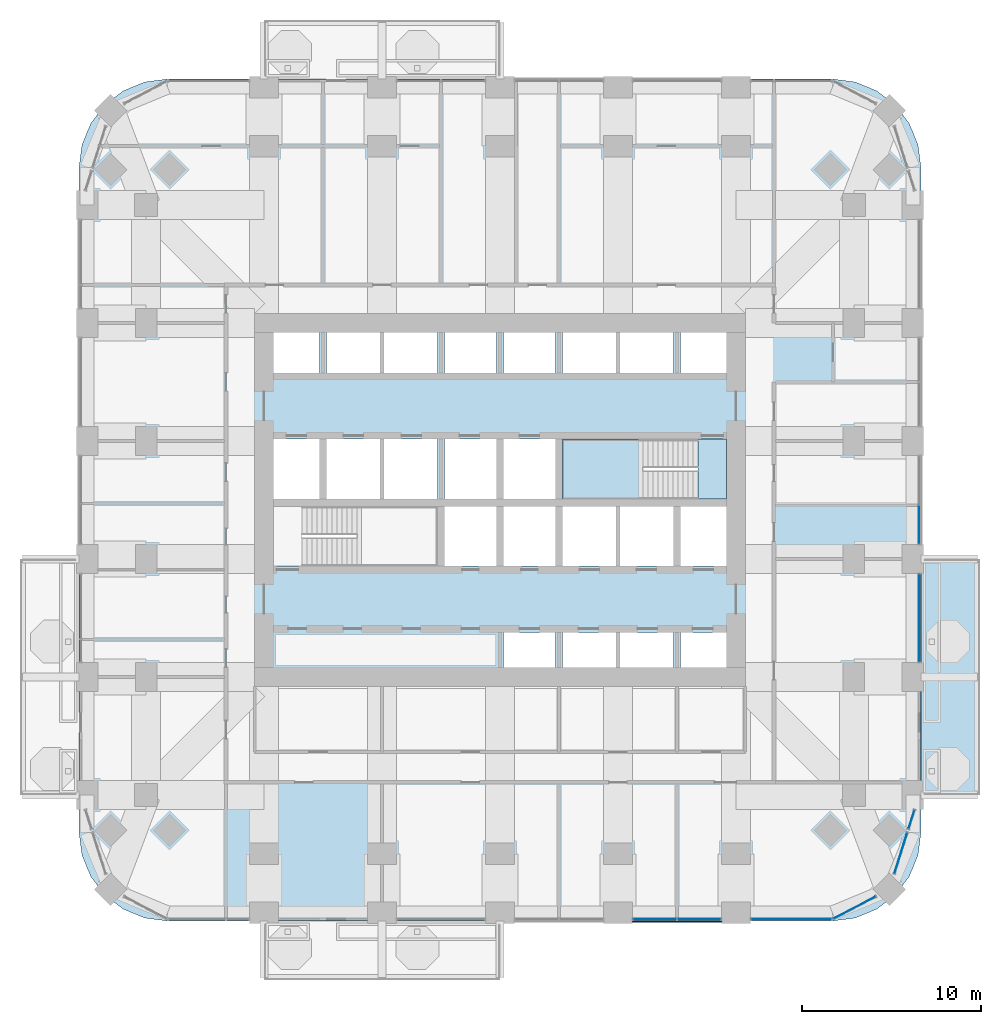
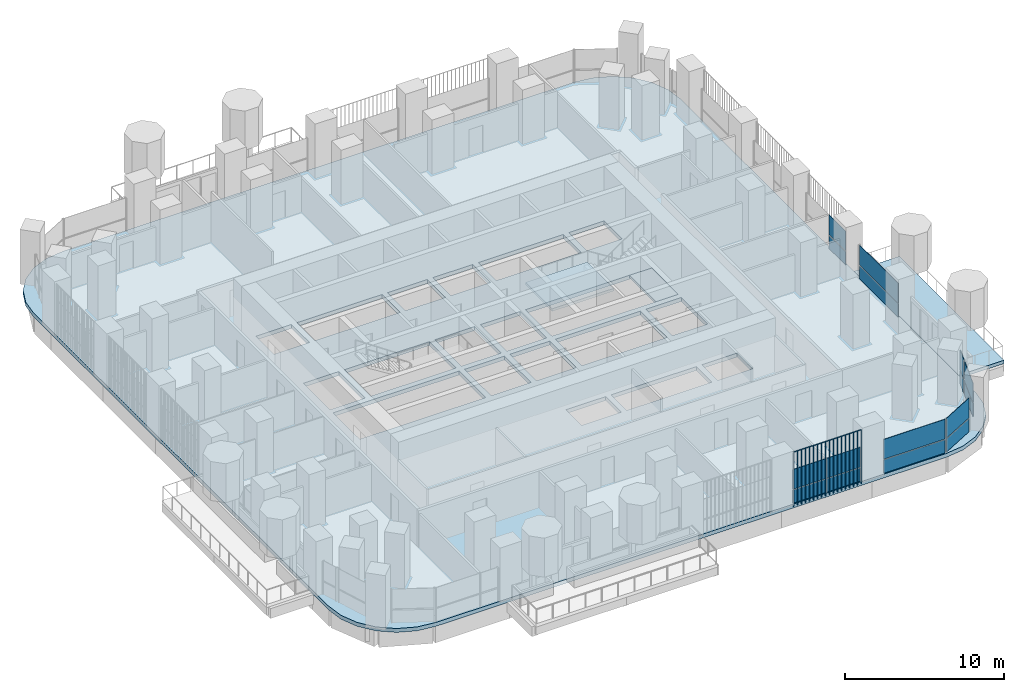
# One storey, part 9 of 21: 17 plates, 4 slabs, 8 elements without a shape of their own.
"""IFC4 building model written with IfcOpenShell, lengths in metres."""

from ifc_helpers import new_model, si_unit, direction, frame, origin, origin_2d, place, context, subcontext, project, spatial, polyline, rectangle, outline, extrude, material, layer, layer_set, type_object, element, aggregate, save


model = new_model("IFC4")

# Units and contexts
model_context = context("Model", 3, precision=1e-05, world=origin(), true_north=direction((0.0, 1.0)))
body_context = subcontext(model_context, "Body", "Model", "MODEL_VIEW")
ifc_project = project(units=[si_unit("LENGTHUNIT", "METRE"), si_unit("AREAUNIT", "SQUARE_METRE"), si_unit("VOLUMEUNIT", "CUBIC_METRE"), si_unit("PLANEANGLEUNIT", "RADIAN"), si_unit("MASSUNIT", "GRAM", prefix="KILO")], contexts=[model_context])

# Site, building, storey
site_placement = place(None, origin())
site = spatial("IfcSite", under=ifc_project, at=site_placement, CompositionType="ELEMENT")
building_placement = place(site_placement, origin())
building = spatial("IfcBuilding", under=site, at=building_placement, Name="Cobogo Forest Laboratory Tower", CompositionType="ELEMENT")
storey_placement = place(building_placement, frame((0.0, 0.0, 141.0)))
storey = spatial("IfcBuildingStorey", under=building, at=storey_placement, Name="L32", CompositionType="ELEMENT", Elevation=141.0)

# Slabs
ifc_material_1 = material(Name="Concrete HA-40 (C40/50)", Category="concrete")
ifc_layer_1 = layer(ifc_material_1, 0.25)
ifc_layer_set_1 = layer_set([ifc_layer_1], Name="Balcony slab 250")
slab_type_1 = type_object("IfcSlabType", Name="Balcony slab 250", PredefinedType="FLOOR", material=ifc_layer_set_1)
slab_1_placement = place(storey_placement, frame((0.0, 0.0, -0.25)))
element("IfcSlab", 1, at=slab_1_placement, inside=storey, type_object=slab_type_1, Name="Balcony BAL-E1 L32", PredefinedType="FLOOR", context=body_context, shape_type="SweptSolid", body=[
    extrude(outline(polyline([(49.949951171875, 6.60009765625), (53.25, 6.60009765625), (53.25, 19.800048828125), (49.949951171875, 19.800048828125), (49.949951171875, 6.60009765625)])), origin(), (0.0, 0.0, 1.0), 0.25),
])
ifc_layer_2 = layer(ifc_material_1, 0.300048828125)
ifc_layer_set_2 = layer_set([ifc_layer_2], Name="Floor slab 300")
slab_type_2 = type_object("IfcSlabType", Name="Floor slab 300", PredefinedType="FLOOR", material=ifc_layer_set_2)
slab_2_placement = place(storey_placement, frame((0.0, 0.0, -0.300048828125)))
element("IfcSlab", 2, at=slab_2_placement, inside=storey, type_object=slab_type_2, Name="L32 floor slab", PredefinedType="FLOOR", context=body_context, shape_type="SweptSolid", body=[
    extrude(outline(polyline([(45.0, -0.449951171875), (46.28125, -0.28125), (47.47509765625, 0.213134765625), (48.500244140625, 0.999755859375), (49.286865234375, 2.02490234375), (49.78125, 3.21875), (49.949951171875, 4.5), (49.949951171875, 41.699951171875), (49.78125, 42.981201171875), (49.286865234375, 44.175048828125), (48.500244140625, 45.2001953125), (47.47509765625, 45.98681640625), (46.28125, 46.4814453125), (45.0, 46.64990234375), (7.800048828125, 46.64990234375), (6.518798828125, 46.4814453125), (5.324951171875, 45.98681640625), (4.2998046875, 45.2001953125), (3.51318359375, 44.175048828125), (3.0185546875, 42.981201171875), (2.85009765625, 41.699951171875), (2.85009765625, 4.5), (3.0185546875, 3.21875), (3.51318359375, 2.02490234375), (4.2998046875, 0.999755859375), (5.324951171875, 0.213134765625), (6.518798828125, -0.28125), (7.800048828125, -0.449951171875), (45.0, -0.449951171875)]), holes=[polyline([(29.5, 13.72509765625), (26.60009765625, 13.72509765625), (26.60009765625, 15.699951171875), (29.5, 15.699951171875), (29.5, 13.72509765625)]), polyline([(36.10009765625, 15.699951171875), (36.10009765625, 13.72509765625), (29.89990234375, 13.72509765625), (29.89990234375, 15.699951171875), (36.10009765625, 15.699951171875)]), polyline([(36.5, 13.72509765625), (36.5, 15.699951171875), (39.074951171875, 15.699951171875), (39.074951171875, 13.72509765625), (36.5, 13.72509765625)]), polyline([(13.72509765625, 19.39990234375), (13.72509765625, 22.75), (22.89990234375, 22.75), (22.89990234375, 19.39990234375), (13.72509765625, 19.39990234375)]), polyline([(23.300048828125, 19.39990234375), (23.300048828125, 22.75), (26.199951171875, 22.75), (26.199951171875, 19.39990234375), (23.300048828125, 19.39990234375)]), polyline([(29.5, 19.39990234375), (26.60009765625, 19.39990234375), (26.60009765625, 22.75), (29.5, 22.75), (29.5, 19.39990234375)]), polyline([(36.10009765625, 22.75), (36.10009765625, 19.39990234375), (29.89990234375, 19.39990234375), (29.89990234375, 22.75), (36.10009765625, 22.75)]), polyline([(39.074951171875, 19.39990234375), (36.5, 19.39990234375), (36.5, 22.75), (39.074951171875, 22.75), (39.074951171875, 19.39990234375)]), polyline([(16.300048828125, 23.14990234375), (13.72509765625, 23.14990234375), (13.72509765625, 26.5), (16.300048828125, 26.5), (16.300048828125, 23.14990234375)]), polyline([(22.89990234375, 26.5), (22.89990234375, 23.14990234375), (16.699951171875, 23.14990234375), (16.699951171875, 26.5), (22.89990234375, 26.5)]), polyline([(26.199951171875, 23.14990234375), (23.300048828125, 23.14990234375), (23.300048828125, 26.5), (26.199951171875, 26.5), (26.199951171875, 23.14990234375)]), polyline([(26.60009765625, 23.14990234375), (26.60009765625, 26.5), (29.5, 26.5), (29.5, 23.14990234375), (26.60009765625, 23.14990234375)]), polyline([(29.89990234375, 23.14990234375), (29.89990234375, 26.5), (39.074951171875, 26.5), (39.074951171875, 23.14990234375), (29.89990234375, 23.14990234375)]), polyline([(13.72509765625, 30.199951171875), (13.72509765625, 32.47509765625), (16.300048828125, 32.47509765625), (16.300048828125, 30.199951171875), (13.72509765625, 30.199951171875)]), polyline([(22.89990234375, 32.47509765625), (22.89990234375, 30.199951171875), (16.699951171875, 30.199951171875), (16.699951171875, 32.47509765625), (22.89990234375, 32.47509765625)]), polyline([(23.300048828125, 30.199951171875), (23.300048828125, 32.47509765625), (26.199951171875, 32.47509765625), (26.199951171875, 30.199951171875), (23.300048828125, 30.199951171875)]), polyline([(26.60009765625, 30.199951171875), (26.60009765625, 32.47509765625), (29.5, 32.47509765625), (29.5, 30.199951171875), (26.60009765625, 30.199951171875)]), polyline([(36.10009765625, 32.47509765625), (36.10009765625, 30.199951171875), (29.89990234375, 30.199951171875), (29.89990234375, 32.47509765625), (36.10009765625, 32.47509765625)]), polyline([(36.5, 30.199951171875), (36.5, 32.47509765625), (39.074951171875, 32.47509765625), (39.074951171875, 30.199951171875), (36.5, 30.199951171875)])]), origin(), (0.0, 0.0, 1.0), 0.300048828125),
])

# Curtain wall, plates
ifc_material_2 = material(Name="Aluminium curtain wall", Category="aluminium")
curtain_wall_type = type_object("IfcCurtainWallType", Name="CW-1 unitised curtain wall, clear glazing, laboratory floors zones A and B", PredefinedType="USERDEFINED", material=ifc_material_2)
curtain_wall_1_placement = place(storey_placement, origin())
curtain_wall_1 = element("IfcCurtainWall", 3, at=curtain_wall_1_placement, inside=storey, type_object=curtain_wall_type, Name="Curtain wall 05 L32", ObjectType="UNITISED CURTAIN WALL", PredefinedType="USERDEFINED")
ifc_material_3 = material(Name="Clear insulated glass", Category="glass")
ifc_layer_3 = layer(ifc_material_3, 0.028076171875)
ifc_layer_set_3 = layer_set([ifc_layer_3], Name="GP-1 clear insulated glass unit 28")
plate_type_1 = type_object("IfcPlateType", Name="GP-1 clear insulated glass unit 28", PredefinedType="CURTAIN_PANEL", material=ifc_layer_set_3)
plate_1_placement = place(storey_placement, frame((35.06494140625, -0.35009765625, 0.0), z_axis=(0.0, 0.0, 1.0), x_axis=(1.0, 0.0, 0.0)))
plate_1 = element("IfcPlate", 4, at=plate_1_placement, type_object=plate_type_1, Name="CW-1 panel 1.1", PredefinedType="CURTAIN_PANEL", context=body_context, shape_type="SweptSolid", body=[
    extrude(rectangle(XDim=2.409912109375, YDim=0.028076171875, at=origin_2d()), origin(), (0.0, 0.0, 1.0), 1.02001953125),
])
plate_2_placement = place(storey_placement, frame((35.06494140625, -0.35009765625, 1.080078125), z_axis=(0.0, 0.0, 1.0), x_axis=(1.0, 0.0, 0.0)))
plate_2 = element("IfcPlate", 5, at=plate_2_placement, type_object=plate_type_1, Name="CW-1 panel 1.2", PredefinedType="CURTAIN_PANEL", context=body_context, shape_type="SweptSolid", body=[
    extrude(rectangle(XDim=2.409912109375, YDim=0.028076171875, at=origin_2d()), origin(), (0.0, 0.0, 1.0), 1.52001953125),
])
plate_3_placement = place(storey_placement, frame((37.534912109375, -0.35009765625, 0.0), z_axis=(0.0, 0.0, 1.0), x_axis=(1.0, 0.0, 0.0)))
plate_3 = element("IfcPlate", 6, at=plate_3_placement, type_object=plate_type_1, Name="CW-1 panel 2.1", PredefinedType="CURTAIN_PANEL", context=body_context, shape_type="SweptSolid", body=[
    extrude(rectangle(XDim=2.409912109375, YDim=0.028076171875, at=origin_2d()), origin(), (0.0, 0.0, 1.0), 1.02001953125),
])
plate_4_placement = place(storey_placement, frame((37.534912109375, -0.35009765625, 1.080078125), z_axis=(0.0, 0.0, 1.0), x_axis=(1.0, 0.0, 0.0)))
plate_4 = element("IfcPlate", 7, at=plate_4_placement, type_object=plate_type_1, Name="CW-1 panel 2.2", PredefinedType="CURTAIN_PANEL", context=body_context, shape_type="SweptSolid", body=[
    extrude(rectangle(XDim=2.409912109375, YDim=0.028076171875, at=origin_2d()), origin(), (0.0, 0.0, 1.0), 1.52001953125),
])
aggregate(curtain_wall_1, [plate_1, plate_2, plate_3, plate_4])

curtain_wall_2_placement = place(storey_placement, origin())
curtain_wall_2 = element("IfcCurtainWall", 8, at=curtain_wall_2_placement, inside=storey, type_object=curtain_wall_type, Name="Curtain wall 06 L32", ObjectType="UNITISED CURTAIN WALL", PredefinedType="USERDEFINED")
plate_5_placement = place(storey_placement, frame((42.699951171875, -0.35009765625, 0.0), z_axis=(0.0, 0.0, 1.0), x_axis=(1.0, 0.0, 0.0)))
plate_5 = element("IfcPlate", 9, at=plate_5_placement, type_object=plate_type_1, Name="CW-1 panel 1.1", PredefinedType="CURTAIN_PANEL", context=body_context, shape_type="SweptSolid", body=[
    extrude(rectangle(XDim=4.47998046875, YDim=0.028076171875, at=origin_2d()), origin(), (0.0, 0.0, 1.0), 1.02001953125),
])
plate_6_placement = place(storey_placement, frame((42.699951171875, -0.35009765625, 1.080078125), z_axis=(0.0, 0.0, 1.0), x_axis=(1.0, 0.0, 0.0)))
plate_6 = element("IfcPlate", 10, at=plate_6_placement, type_object=plate_type_1, Name="CW-1 panel 1.2", PredefinedType="CURTAIN_PANEL", context=body_context, shape_type="SweptSolid", body=[
    extrude(rectangle(XDim=4.47998046875, YDim=0.028076171875, at=origin_2d()), origin(), (0.0, 0.0, 1.0), 1.52001953125),
])
aggregate(curtain_wall_2, [plate_5, plate_6])

curtain_wall_3_placement = place(storey_placement, origin())
curtain_wall_3 = element("IfcCurtainWall", 11, at=curtain_wall_3_placement, inside=storey, type_object=curtain_wall_type, Name="Curtain wall 07 L32", ObjectType="UNITISED CURTAIN WALL", PredefinedType="USERDEFINED")
plate_7_placement = place(storey_placement, frame((46.229248046875, 0.29443359375, 0.0), z_axis=(0.0, 0.0, 1.0), x_axis=(0.885686547075, 0.464283685186, 0.0)))
plate_7 = element("IfcPlate", 12, at=plate_7_placement, type_object=plate_type_1, Name="CW-1 panel 1.1", PredefinedType="CURTAIN_PANEL", context=body_context, shape_type="SweptSolid", body=[
    extrude(rectangle(XDim=2.655517578125, YDim=0.028076171875, at=origin_2d()), origin(), (0.0, 0.0, 1.0), 1.02001953125),
])
plate_8_placement = place(storey_placement, frame((46.229248046875, 0.29443359375, 1.080078125), z_axis=(0.0, 0.0, 1.0), x_axis=(0.885686547075, 0.464283685186, 0.0)))
plate_8 = element("IfcPlate", 13, at=plate_8_placement, type_object=plate_type_1, Name="CW-1 panel 1.2", PredefinedType="CURTAIN_PANEL", context=body_context, shape_type="SweptSolid", body=[
    extrude(rectangle(XDim=2.655517578125, YDim=0.028076171875, at=origin_2d()), origin(), (0.0, 0.0, 1.0), 1.52001953125),
])
aggregate(curtain_wall_3, [plate_7, plate_8])

curtain_wall_4_placement = place(storey_placement, origin())
curtain_wall_4 = element("IfcCurtainWall", 14, at=curtain_wall_4_placement, inside=storey, type_object=curtain_wall_type, Name="Curtain wall 08 L32", ObjectType="UNITISED CURTAIN WALL", PredefinedType="USERDEFINED")
plate_9_placement = place(storey_placement, frame((48.8212890625, 3.342529296875, 0.0), z_axis=(0.0, 0.0, 1.0), x_axis=(0.301135291996, 0.953581425949, 0.0)))
plate_9 = element("IfcPlate", 15, at=plate_9_placement, type_object=plate_type_1, Name="CW-1 panel 1.1", PredefinedType="CURTAIN_PANEL", context=body_context, shape_type="SweptSolid", body=[
    extrude(rectangle(XDim=2.3681640625, YDim=0.028076171875, at=origin_2d()), origin(), (0.0, 0.0, 1.0), 1.02001953125),
])
plate_10_placement = place(storey_placement, frame((48.8212890625, 3.342529296875, 1.080078125), z_axis=(0.0, 0.0, 1.0), x_axis=(0.301135291996, 0.953581425949, 0.0)))
plate_10 = element("IfcPlate", 16, at=plate_10_placement, type_object=plate_type_1, Name="CW-1 panel 1.2", PredefinedType="CURTAIN_PANEL", context=body_context, shape_type="SweptSolid", body=[
    extrude(rectangle(XDim=2.3681640625, YDim=0.028076171875, at=origin_2d()), origin(), (0.0, 0.0, 1.0), 1.52001953125),
])
aggregate(curtain_wall_4, [plate_9, plate_10])

curtain_wall_5_placement = place(storey_placement, origin())
curtain_wall_5 = element("IfcCurtainWall", 17, at=curtain_wall_5_placement, inside=storey, type_object=curtain_wall_type, Name="Curtain wall 09 L32", ObjectType="UNITISED CURTAIN WALL", PredefinedType="USERDEFINED")
plate_11_placement = place(storey_placement, frame((49.41796875, 5.232177734375, 0.0), z_axis=(0.0, 0.0, 1.0), x_axis=(0.301135667865, 0.953581307252, 0.0)))
plate_11 = element("IfcPlate", 18, at=plate_11_placement, type_object=plate_type_1, Name="CW-1 panel 1.1", PredefinedType="CURTAIN_PANEL", context=body_context, shape_type="SweptSolid", body=[
    extrude(rectangle(XDim=1.071044921875, YDim=0.028076171875, at=origin_2d()), origin(), (0.0, 0.0, 1.0), 1.02001953125),
])
plate_12_placement = place(storey_placement, frame((49.41796875, 5.232177734375, 1.080078125), z_axis=(0.0, 0.0, 1.0), x_axis=(0.301135667865, 0.953581307252, 0.0)))
plate_12 = element("IfcPlate", 19, at=plate_12_placement, type_object=plate_type_1, Name="CW-1 panel 1.2", PredefinedType="CURTAIN_PANEL", context=body_context, shape_type="SweptSolid", body=[
    extrude(rectangle(XDim=1.071044921875, YDim=0.028076171875, at=origin_2d()), origin(), (0.0, 0.0, 1.0), 1.52001953125),
])
aggregate(curtain_wall_5, [plate_11, plate_12])

curtain_wall_6_placement = place(storey_placement, origin())
curtain_wall_6 = element("IfcCurtainWall", 20, at=curtain_wall_6_placement, inside=storey, type_object=curtain_wall_type, Name="Curtain wall 11 L32", ObjectType="UNITISED CURTAIN WALL", PredefinedType="USERDEFINED")
plate_13_placement = place(storey_placement, frame((49.85009765625, 16.5, 0.0), z_axis=(0.0, 0.0, 1.0), x_axis=(0.0, 1.0, 0.0)))
plate_13 = element("IfcPlate", 21, at=plate_13_placement, type_object=plate_type_1, Name="CW-1 panel 1.1", PredefinedType="CURTAIN_PANEL", context=body_context, shape_type="SweptSolid", body=[
    extrude(rectangle(XDim=4.8798828125, YDim=0.028076171875, at=origin_2d()), origin(), (0.0, 0.0, 1.0), 1.02001953125),
])
plate_14_placement = place(storey_placement, frame((49.85009765625, 16.5, 1.080078125), z_axis=(0.0, 0.0, 1.0), x_axis=(0.0, 1.0, 0.0)))
plate_14 = element("IfcPlate", 22, at=plate_14_placement, type_object=plate_type_1, Name="CW-1 panel 1.2", PredefinedType="CURTAIN_PANEL", context=body_context, shape_type="SweptSolid", body=[
    extrude(rectangle(XDim=4.8798828125, YDim=0.028076171875, at=origin_2d()), origin(), (0.0, 0.0, 1.0), 1.52001953125),
])
aggregate(curtain_wall_6, [plate_13, plate_14])

curtain_wall_7_placement = place(storey_placement, origin())
curtain_wall_7 = element("IfcCurtainWall", 23, at=curtain_wall_7_placement, inside=storey, type_object=curtain_wall_type, Name="Curtain wall 12 L32", ObjectType="UNITISED CURTAIN WALL", PredefinedType="USERDEFINED")
plate_15_placement = place(storey_placement, frame((49.85009765625, 21.715087890625, 0.0), z_axis=(0.0, 0.0, 1.0), x_axis=(0.0, 1.0, 0.0)))
plate_15 = element("IfcPlate", 24, at=plate_15_placement, type_object=plate_type_1, Name="CW-1 panel 1.1", PredefinedType="CURTAIN_PANEL", context=body_context, shape_type="SweptSolid", body=[
    extrude(rectangle(XDim=2.110107421875, YDim=0.028076171875, at=origin_2d()), origin(), (0.0, 0.0, 1.0), 1.02001953125),
])
plate_16_placement = place(storey_placement, frame((49.85009765625, 21.715087890625, 1.080078125), z_axis=(0.0, 0.0, 1.0), x_axis=(0.0, 1.0, 0.0)))
plate_16 = element("IfcPlate", 25, at=plate_16_placement, type_object=plate_type_1, Name="CW-1 panel 1.2", PredefinedType="CURTAIN_PANEL", context=body_context, shape_type="SweptSolid", body=[
    extrude(rectangle(XDim=2.110107421875, YDim=0.028076171875, at=origin_2d()), origin(), (0.0, 0.0, 1.0), 1.52001953125),
])
aggregate(curtain_wall_7, [plate_15, plate_16])

# Stair, slabs
ifc_material_4 = material(Name="Precast concrete HA-40 (C40/50)", Category="concrete")
stair_type = type_object("IfcStairType", Name="ST24 exit stair 24 risers", PredefinedType="HALF_TURN_STAIR", material=ifc_material_4)
stair_placement = place(storey_placement, origin())
stair = element("IfcStair", 26, at=stair_placement, inside=storey, type_object=stair_type, Name="Stair 2 L32 to L33", PredefinedType="HALF_TURN_STAIR")
ifc_layer_4 = layer(ifc_material_1, 0.199951171875)
ifc_layer_set_4 = layer_set([ifc_layer_4], Name="SL stair landing 200")
slab_type_3 = type_object("IfcSlabType", Name="SL stair landing 200", PredefinedType="LANDING", material=ifc_layer_set_4)
slab_3_placement = place(storey_placement, frame((0.0, 0.0, -0.199951171875)))
slab_3 = element("IfcSlab", 27, at=slab_3_placement, type_object=slab_type_3, Name="ST2 landing 1", PredefinedType="LANDING", context=body_context, shape_type="SweptSolid", body=[
    extrude(outline(polyline([(37.472900390625, 23.14990234375), (39.074951171875, 23.14990234375), (39.074951171875, 26.5), (37.472900390625, 26.5), (37.472900390625, 23.14990234375)])), origin(), (0.0, 0.0, 1.0), 0.199951171875),
])
slab_4_placement = place(storey_placement, frame((0.0, 0.0, 1.89990234375)))
slab_4 = element("IfcSlab", 28, at=slab_4_placement, type_object=slab_type_3, Name="ST2 landing 2", PredefinedType="LANDING", context=body_context, shape_type="SweptSolid", body=[
    extrude(outline(polyline([(29.89990234375, 23.14990234375), (34.39697265625, 23.14990234375), (34.39697265625, 26.5), (29.89990234375, 26.5), (29.89990234375, 23.14990234375)])), origin(), (0.0, 0.0, 1.0), 0.2001953125),
])
aggregate(stair, [slab_3, slab_4])

# Plate
ifc_material_5 = material(Name="Terracotta", Category="masonry")
plate_type_2 = type_object("IfcPlateType", Name="TB1 terracotta baguette screen", PredefinedType="USERDEFINED", material=ifc_material_5)
plate_17_placement = place(storey_placement, frame((33.831298828125, -0.477783203125, -0.14990234375)))
element("IfcPlate", 29, at=plate_17_placement, inside=storey, type_object=plate_type_2, Name="Baguette screen S4 L32", ObjectType="BAGUETTE SCREEN", PredefinedType="USERDEFINED", context=body_context, shape_type="SweptSolid", body=[
    extrude(outline(polyline([(0.02880859375, 0.011962890625), (0.011962890625, 0.02880859375), (-0.011962890625, 0.02880859375), (-0.02880859375, 0.011962890625), (-0.02880859375, -0.011962890625), (-0.011962890625, -0.02880859375), (0.011962890625, -0.02880859375), (0.02880859375, -0.011962890625), (0.02880859375, 0.011962890625)])), frame((0.0, 0.0, 4.168701171875), z_axis=(1.0, 0.0, 0.0), x_axis=(0.0, 1.0, 0.0)), (0.0, 0.0, 1.0), 4.9375),
    extrude(outline(polyline([(0.02880859375, 0.011962890625), (0.011962890625, 0.02880859375), (-0.011962890625, 0.02880859375), (-0.02880859375, 0.011962890625), (-0.02880859375, -0.011962890625), (-0.011962890625, -0.02880859375), (0.011962890625, -0.02880859375), (0.02880859375, -0.011962890625), (0.02880859375, 0.011962890625)])), origin(), (0.0, 0.0, 1.0), 4.137451171875),
    extrude(outline(polyline([(0.02880859375, 0.011962890625), (0.011962890625, 0.02880859375), (-0.011962890625, 0.02880859375), (-0.02880859375, 0.011962890625), (-0.02880859375, -0.011962890625), (-0.011962890625, -0.02880859375), (0.011962890625, -0.02880859375), (0.02880859375, -0.011962890625), (0.02880859375, 0.011962890625)])), frame((0.29052734375, 0.0, 0.0)), (0.0, 0.0, 1.0), 4.137451171875),
    extrude(outline(polyline([(0.02880859375, 0.011962890625), (0.011962890625, 0.02880859375), (-0.011962890625, 0.02880859375), (-0.02880859375, 0.011962890625), (-0.02880859375, -0.011962890625), (-0.011962890625, -0.02880859375), (0.011962890625, -0.02880859375), (0.02880859375, -0.011962890625), (0.02880859375, 0.011962890625)])), frame((0.580810546875, 0.0, 0.0)), (0.0, 0.0, 1.0), 4.137451171875),
    extrude(outline(polyline([(0.02880859375, 0.011962890625), (0.011962890625, 0.02880859375), (-0.011962890625, 0.02880859375), (-0.02880859375, 0.011962890625), (-0.02880859375, -0.011962890625), (-0.011962890625, -0.02880859375), (0.011962890625, -0.02880859375), (0.02880859375, -0.011962890625), (0.02880859375, 0.011962890625)])), frame((0.871337890625, 0.0, 0.0)), (0.0, 0.0, 1.0), 4.137451171875),
    extrude(outline(polyline([(0.02880859375, 0.011962890625), (0.011962890625, 0.02880859375), (-0.011962890625, 0.02880859375), (-0.02880859375, 0.011962890625), (-0.02880859375, -0.011962890625), (-0.011962890625, -0.02880859375), (0.011962890625, -0.02880859375), (0.02880859375, -0.011962890625), (0.02880859375, 0.011962890625)])), frame((1.161865234375, 0.0, 0.0)), (0.0, 0.0, 1.0), 4.137451171875),
    extrude(outline(polyline([(0.02880859375, 0.011962890625), (0.011962890625, 0.02880859375), (-0.011962890625, 0.02880859375), (-0.02880859375, 0.011962890625), (-0.02880859375, -0.011962890625), (-0.011962890625, -0.02880859375), (0.011962890625, -0.02880859375), (0.02880859375, -0.011962890625), (0.02880859375, 0.011962890625)])), frame((1.4521484375, 0.0, 0.0)), (0.0, 0.0, 1.0), 4.137451171875),
    extrude(outline(polyline([(0.02880859375, 0.011962890625), (0.011962890625, 0.02880859375), (-0.011962890625, 0.02880859375), (-0.02880859375, 0.011962890625), (-0.02880859375, -0.011962890625), (-0.011962890625, -0.02880859375), (0.011962890625, -0.02880859375), (0.02880859375, -0.011962890625), (0.02880859375, 0.011962890625)])), frame((1.74267578125, 0.0, 0.0)), (0.0, 0.0, 1.0), 4.137451171875),
    extrude(outline(polyline([(0.02880859375, 0.011962890625), (0.011962890625, 0.02880859375), (-0.011962890625, 0.02880859375), (-0.02880859375, 0.011962890625), (-0.02880859375, -0.011962890625), (-0.011962890625, -0.02880859375), (0.011962890625, -0.02880859375), (0.02880859375, -0.011962890625), (0.02880859375, 0.011962890625)])), frame((2.033203125, 0.0, 0.0)), (0.0, 0.0, 1.0), 4.137451171875),
    extrude(outline(polyline([(0.02880859375, 0.011962890625), (0.011962890625, 0.02880859375), (-0.011962890625, 0.02880859375), (-0.02880859375, 0.011962890625), (-0.02880859375, -0.011962890625), (-0.011962890625, -0.02880859375), (0.011962890625, -0.02880859375), (0.02880859375, -0.011962890625), (0.02880859375, 0.011962890625)])), frame((2.323486328125, 0.0, 0.0)), (0.0, 0.0, 1.0), 4.137451171875),
    extrude(outline(polyline([(0.02880859375, 0.011962890625), (0.011962890625, 0.02880859375), (-0.011962890625, 0.02880859375), (-0.02880859375, 0.011962890625), (-0.02880859375, -0.011962890625), (-0.011962890625, -0.02880859375), (0.011962890625, -0.02880859375), (0.02880859375, -0.011962890625), (0.02880859375, 0.011962890625)])), frame((2.614013671875, 0.0, 0.0)), (0.0, 0.0, 1.0), 4.137451171875),
    extrude(outline(polyline([(0.02880859375, 0.011962890625), (0.011962890625, 0.02880859375), (-0.011962890625, 0.02880859375), (-0.02880859375, 0.011962890625), (-0.02880859375, -0.011962890625), (-0.011962890625, -0.02880859375), (0.011962890625, -0.02880859375), (0.02880859375, -0.011962890625), (0.02880859375, 0.011962890625)])), frame((2.904296875, 0.0, 0.0)), (0.0, 0.0, 1.0), 4.137451171875),
    extrude(outline(polyline([(0.02880859375, 0.011962890625), (0.011962890625, 0.02880859375), (-0.011962890625, 0.02880859375), (-0.02880859375, 0.011962890625), (-0.02880859375, -0.011962890625), (-0.011962890625, -0.02880859375), (0.011962890625, -0.02880859375), (0.02880859375, -0.011962890625), (0.02880859375, 0.011962890625)])), frame((3.19482421875, 0.0, 0.0)), (0.0, 0.0, 1.0), 4.137451171875),
    extrude(outline(polyline([(0.02880859375, 0.011962890625), (0.011962890625, 0.02880859375), (-0.011962890625, 0.02880859375), (-0.02880859375, 0.011962890625), (-0.02880859375, -0.011962890625), (-0.011962890625, -0.02880859375), (0.011962890625, -0.02880859375), (0.02880859375, -0.011962890625), (0.02880859375, 0.011962890625)])), frame((3.4853515625, 0.0, 0.0)), (0.0, 0.0, 1.0), 4.137451171875),
    extrude(outline(polyline([(0.02880859375, 0.011962890625), (0.011962890625, 0.02880859375), (-0.011962890625, 0.02880859375), (-0.02880859375, 0.011962890625), (-0.02880859375, -0.011962890625), (-0.011962890625, -0.02880859375), (0.011962890625, -0.02880859375), (0.02880859375, -0.011962890625), (0.02880859375, 0.011962890625)])), frame((3.775634765625, 0.0, 0.0)), (0.0, 0.0, 1.0), 4.137451171875),
    extrude(outline(polyline([(0.02880859375, 0.011962890625), (0.011962890625, 0.02880859375), (-0.011962890625, 0.02880859375), (-0.02880859375, 0.011962890625), (-0.02880859375, -0.011962890625), (-0.011962890625, -0.02880859375), (0.011962890625, -0.02880859375), (0.02880859375, -0.011962890625), (0.02880859375, 0.011962890625)])), frame((4.066162109375, 0.0, 0.0)), (0.0, 0.0, 1.0), 4.137451171875),
    extrude(outline(polyline([(0.02880859375, 0.011962890625), (0.011962890625, 0.02880859375), (-0.011962890625, 0.02880859375), (-0.02880859375, 0.011962890625), (-0.02880859375, -0.011962890625), (-0.011962890625, -0.02880859375), (0.011962890625, -0.02880859375), (0.02880859375, -0.011962890625), (0.02880859375, 0.011962890625)])), frame((4.356689453125, 0.0, 0.0)), (0.0, 0.0, 1.0), 4.137451171875),
    extrude(outline(polyline([(0.02880859375, 0.011962890625), (0.011962890625, 0.02880859375), (-0.011962890625, 0.02880859375), (-0.02880859375, 0.011962890625), (-0.02880859375, -0.011962890625), (-0.011962890625, -0.02880859375), (0.011962890625, -0.02880859375), (0.02880859375, -0.011962890625), (0.02880859375, 0.011962890625)])), frame((4.64697265625, 0.0, 0.0)), (0.0, 0.0, 1.0), 4.137451171875),
    extrude(outline(polyline([(0.02880859375, 0.011962890625), (0.011962890625, 0.02880859375), (-0.011962890625, 0.02880859375), (-0.02880859375, 0.011962890625), (-0.02880859375, -0.011962890625), (-0.011962890625, -0.02880859375), (0.011962890625, -0.02880859375), (0.02880859375, -0.011962890625), (0.02880859375, 0.011962890625)])), frame((4.9375, 0.0, 0.0)), (0.0, 0.0, 1.0), 4.137451171875),
])

save(model, "model.ifc")
